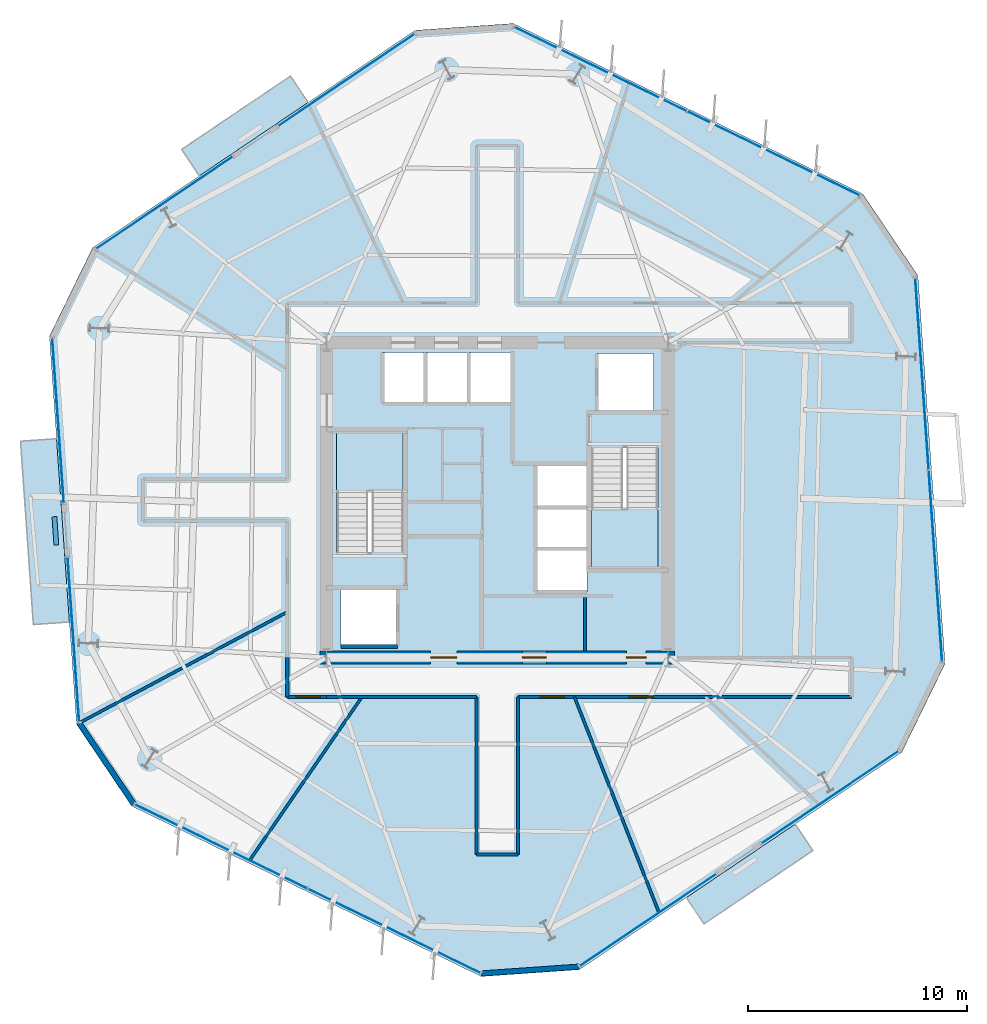
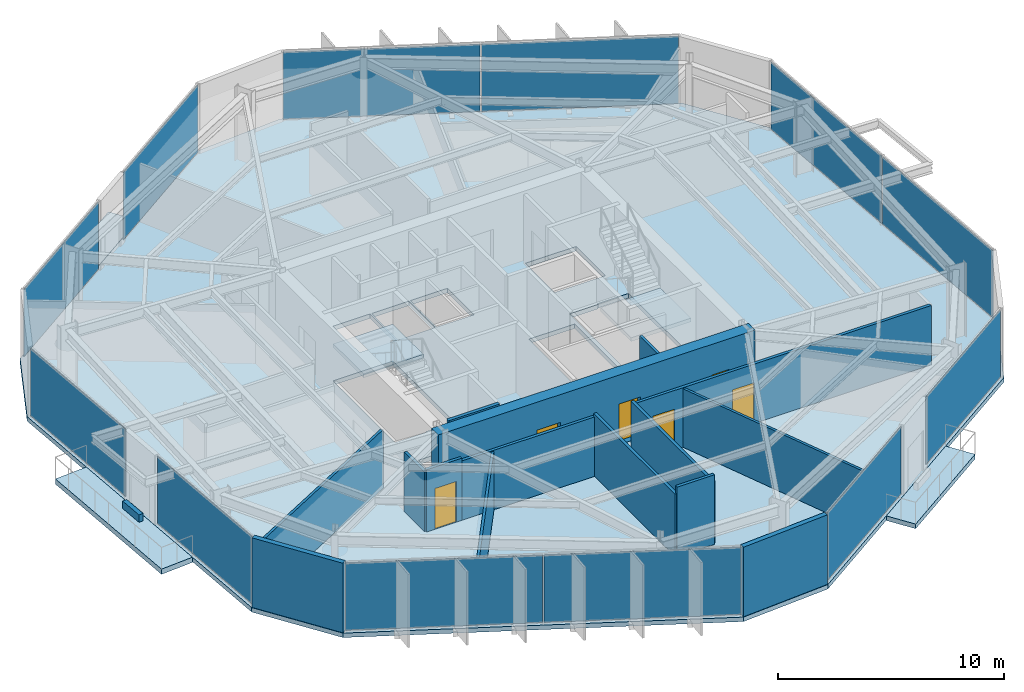
# One storey, part 6 of 14: 16 walls, 12 plates, 6 doors, 6 slabs, 6 openings, 11 elements without a shape of their own.
"""IFC4 building model written with IfcOpenShell, lengths in metres."""

from ifc_helpers import new_model, si_unit, direction, frame, frame_2d, origin, origin_2d, place, context, subcontext, project, spatial, polyline, rectangle, outline, extrude, material, layer, layer_set, type_object, element, fill, aggregate, save


model = new_model("IFC4")

# Units and contexts
model_context = context("Model", 3, precision=1e-05, world=origin(), true_north=direction((0.0, 1.0)))
body_context = subcontext(model_context, "Body", "Model", "MODEL_VIEW")
ifc_project = project(units=[si_unit("LENGTHUNIT", "METRE"), si_unit("AREAUNIT", "SQUARE_METRE"), si_unit("VOLUMEUNIT", "CUBIC_METRE"), si_unit("PLANEANGLEUNIT", "RADIAN"), si_unit("MASSUNIT", "GRAM", prefix="KILO")], contexts=[model_context])

# Site, building, storey
site_placement = place(None, origin())
site = spatial("IfcSite", under=ifc_project, at=site_placement, CompositionType="ELEMENT")
building_placement = place(site_placement, origin())
building = spatial("IfcBuilding", under=site, at=building_placement, Name="Kranzbogen Civic Tower", CompositionType="ELEMENT")
storey_placement = place(building_placement, frame((0.0, 0.0, 158.39990234375)))
storey = spatial("IfcBuildingStorey", under=building, at=storey_placement, Name="L38", CompositionType="ELEMENT", Elevation=158.39990234375)

# Slab
ifc_material_1 = material(Name="Concrete C40/50", Category="concrete")
ifc_layer_1 = layer(ifc_material_1, 0.239990234375, Name="Concrete C40/50")
ifc_layer_set_1 = layer_set([ifc_layer_1], Name="Concrete C40/50")
slab_type_1 = type_object("IfcSlabType", Name="Composite Lower Tower Floor Slab 240 mm", PredefinedType="FLOOR", material=ifc_layer_set_1)
slab_1_placement = place(storey_placement, frame((0.0, 0.0, -0.239990234375)))
element("IfcSlab", 1, at=slab_1_placement, inside=storey, type_object=slab_type_1, Name="L38 tower floor slab", PredefinedType="FLOOR", context=body_context, shape_type="SweptSolid", body=[
    extrude(outline(polyline([(41.715087890625, 38.988037109375), (25.73193359375, 46.783935546875), (21.242919921875, 46.469970703125), (6.5009765625, 36.52587890625), (4.528076171875, 32.48095703125), (5.76904296875, 14.741943359375), (8.284912109375, 11.011962890625), (24.26806640625, 3.216064453125), (28.757080078125, 3.530029296875), (43.4990234375, 13.47412109375), (45.471923828125, 17.51904296875), (44.23095703125, 35.258056640625), (41.715087890625, 38.988037109375)]), holes=[polyline([(20.449951171875, 20.89990234375), (20.449951171875, 18.300048828125), (17.85009765625, 18.300048828125), (17.85009765625, 20.89990234375), (20.449951171875, 20.89990234375)]), polyline([(29.10009765625, 22.699951171875), (29.10009765625, 20.800048828125), (26.75, 20.800048828125), (26.75, 22.699951171875), (29.10009765625, 22.699951171875)]), polyline([(29.10009765625, 24.64990234375), (29.10009765625, 22.77490234375), (26.75, 22.77490234375), (26.75, 24.64990234375), (26.75, 24.675048828125), (26.75, 26.550048828125), (29.10009765625, 26.550048828125), (29.10009765625, 24.675048828125), (29.10009765625, 24.64990234375)]), polyline([(30.75, 27.340087890625), (30.75, 27.39990234375), (32.35009765625, 27.39990234375), (32.35009765625, 21.89990234375), (29.300048828125, 21.89990234375), (29.300048828125, 27.340087890625), (30.75, 27.340087890625)]), polyline([(19.25, 22.659912109375), (19.25, 22.60009765625), (17.64990234375, 22.60009765625), (17.64990234375, 28.10009765625), (20.699951171875, 28.10009765625), (20.699951171875, 22.659912109375), (19.25, 22.659912109375)]), polyline([(32.14990234375, 31.699951171875), (32.14990234375, 29.10009765625), (29.550048828125, 29.10009765625), (29.550048828125, 31.699951171875), (32.14990234375, 31.699951171875)]), polyline([(21.64990234375, 31.75), (21.64990234375, 29.39990234375), (19.75, 29.39990234375), (19.75, 31.75), (21.64990234375, 31.75)]), polyline([(23.625, 29.39990234375), (21.72509765625, 29.39990234375), (21.72509765625, 31.75), (23.625, 31.75), (23.625, 29.39990234375)]), polyline([(25.60009765625, 29.39990234375), (23.699951171875, 29.39990234375), (23.699951171875, 31.75), (25.60009765625, 31.75), (25.60009765625, 29.39990234375)])]), origin(), (0.0, 0.0, 1.0), 0.239990234375),
])

# Curtain wall, plates
ifc_material_2 = material(Name="Pale Anodised Aluminium", Category="aluminium")
ifc_layer_2 = layer(ifc_material_2, 0.219970703125, Name="Pale Anodised Aluminium")
ifc_layer_set_2 = layer_set([ifc_layer_2], Name="Pale Anodised Aluminium")
curtain_wall_type = type_object("IfcCurtainWallType", Name="Zone 2 Stick Curtain Wall System CW-03", PredefinedType="USERDEFINED", material=ifc_layer_set_2)
curtain_wall_1_placement = place(storey_placement, origin())
curtain_wall_1 = element("IfcCurtainWall", 2, at=curtain_wall_1_placement, inside=storey, type_object=curtain_wall_type, Name="L38 curtain wall CW-L38-F1", ObjectType="STICK CURTAIN WALL", PredefinedType="USERDEFINED")
ifc_material_3 = material(Name="Low-E Triple Glazing Glass", Category="glass")
ifc_layer_3 = layer(ifc_material_3, 0.031982421875, Name="Low-E Triple Glazing Glass")
ifc_layer_set_3 = layer_set([ifc_layer_3], Name="Low-E Triple Glazing Glass")
plate_type = type_object("IfcPlateType", Name="Insulated Low-E Glazing Panel 32 mm", PredefinedType="CURTAIN_PANEL", material=ifc_layer_set_3)
plate_1_placement = place(storey_placement, frame((37.624267578125, 40.841064453125, 0.06005859375), z_axis=(0.0, 0.0, 1.0), x_axis=(-0.8987869382, 0.438385720252, 0.0)))
plate_1 = element("IfcPlate", 3, at=plate_1_placement, type_object=plate_type, Name="CW-03 panel 1.1", PredefinedType="CURTAIN_PANEL", context=body_context, shape_type="SweptSolid", body=[
    extrude(rectangle(XDim=8.74462890625, YDim=0.028076171875, at=origin_2d()), origin(), (0.0, 0.0, 1.0), 3.639892578125),
])
plate_2_placement = place(storey_placement, frame((29.710693359375, 44.700927734375, 0.06005859375), z_axis=(0.0, 0.0, 1.0), x_axis=(-0.8987869382, 0.438385720252, 0.0)))
plate_2 = element("IfcPlate", 4, at=plate_2_placement, type_object=plate_type, Name="CW-03 panel 2.1", PredefinedType="CURTAIN_PANEL", context=body_context, shape_type="SweptSolid", body=[
    extrude(rectangle(XDim=8.74462890625, YDim=0.028076171875, at=origin_2d()), origin(), (0.0, 0.0, 1.0), 3.639892578125),
])
aggregate(curtain_wall_1, [plate_1, plate_2])

# Curtain wall, plate
curtain_wall_2_placement = place(storey_placement, origin())
curtain_wall_2 = element("IfcCurtainWall", 5, at=curtain_wall_2_placement, inside=storey, type_object=curtain_wall_type, Name="L38 curtain wall CW-L38-F2-S1", ObjectType="STICK CURTAIN WALL", PredefinedType="USERDEFINED")
plate_3_placement = place(storey_placement, frame((18.1025390625, 44.197509765625, 0.06005859375), z_axis=(0.0, 0.0, 1.0), x_axis=(-0.829035410899, -0.559196108244, 0.0)))
plate_3 = element("IfcPlate", 6, at=plate_3_placement, type_object=plate_type, Name="CW-03 panel 1.1", PredefinedType="CURTAIN_PANEL", context=body_context, shape_type="SweptSolid", body=[
    extrude(rectangle(XDim=7.51416015625, YDim=0.028076171875, at=origin_2d()), origin(), (0.0, 0.0, 1.0), 3.639892578125),
])
aggregate(curtain_wall_2, [plate_3])

curtain_wall_3_placement = place(storey_placement, origin())
curtain_wall_3 = element("IfcCurtainWall", 7, at=curtain_wall_3_placement, inside=storey, type_object=curtain_wall_type, Name="L38 curtain wall CW-L38-F2-S2", ObjectType="STICK CURTAIN WALL", PredefinedType="USERDEFINED")
plate_4_placement = place(storey_placement, frame((9.784423828125, 38.58642578125, 0.06005859375), z_axis=(0.0, 0.0, 1.0), x_axis=(-0.829035410899, -0.559196108244, 0.0)))
plate_4 = element("IfcPlate", 8, at=plate_4_placement, type_object=plate_type, Name="CW-03 panel 1.1", PredefinedType="CURTAIN_PANEL", context=body_context, shape_type="SweptSolid", body=[
    extrude(rectangle(XDim=7.51416015625, YDim=0.028076171875, at=origin_2d()), origin(), (0.0, 0.0, 1.0), 3.639892578125),
])
aggregate(curtain_wall_3, [plate_4])

curtain_wall_4_placement = place(storey_placement, origin())
curtain_wall_4 = element("IfcCurtainWall", 9, at=curtain_wall_4_placement, inside=storey, type_object=curtain_wall_type, Name="L38 curtain wall CW-L38-F3-S1", ObjectType="STICK CURTAIN WALL", PredefinedType="USERDEFINED")
plate_5_placement = place(storey_placement, frame((4.925537109375, 28.62548828125, 0.06005859375), z_axis=(0.0, 0.0, 1.0), x_axis=(0.069822609681, -0.997559423382, 0.0)))
plate_5 = element("IfcPlate", 10, at=plate_5_placement, type_object=plate_type, Name="CW-03 panel 1.1", PredefinedType="CURTAIN_PANEL", context=body_context, shape_type="SweptSolid", body=[
    extrude(rectangle(XDim=7.513671875, YDim=0.028076171875, at=origin_2d()), origin(), (0.0, 0.0, 1.0), 3.639892578125),
])
aggregate(curtain_wall_4, [plate_5])

curtain_wall_5_placement = place(storey_placement, origin())
curtain_wall_5 = element("IfcCurtainWall", 11, at=curtain_wall_5_placement, inside=storey, type_object=curtain_wall_type, Name="L38 curtain wall CW-L38-F3-S2", ObjectType="STICK CURTAIN WALL", PredefinedType="USERDEFINED")
plate_6_placement = place(storey_placement, frame((5.62646484375, 18.615966796875, 0.06005859375), z_axis=(0.0, 0.0, 1.0), x_axis=(0.069813486474, -0.997560061904, 0.0)))
plate_6 = element("IfcPlate", 12, at=plate_6_placement, type_object=plate_type, Name="CW-03 panel 1.1", PredefinedType="CURTAIN_PANEL", context=body_context, shape_type="SweptSolid", body=[
    extrude(rectangle(XDim=7.5146484375, YDim=0.028076171875, at=origin_2d()), origin(), (0.0, 0.0, 1.0), 3.639892578125),
])
aggregate(curtain_wall_5, [plate_6])

# Curtain wall, plates
curtain_wall_6_placement = place(storey_placement, origin())
curtain_wall_6 = element("IfcCurtainWall", 13, at=curtain_wall_6_placement, inside=storey, type_object=curtain_wall_type, Name="L38 curtain wall CW-L38-F4", ObjectType="STICK CURTAIN WALL", PredefinedType="USERDEFINED")
plate_7_placement = place(storey_placement, frame((12.375732421875, 9.158935546875, 0.06005859375), z_axis=(0.0, 0.0, 1.0), x_axis=(0.8987869382, -0.438385720252, 0.0)))
plate_7 = element("IfcPlate", 14, at=plate_7_placement, type_object=plate_type, Name="CW-03 panel 1.1", PredefinedType="CURTAIN_PANEL", context=body_context, shape_type="SweptSolid", body=[
    extrude(rectangle(XDim=8.74462890625, YDim=0.028076171875, at=origin_2d()), origin(), (0.0, 0.0, 1.0), 3.639892578125),
])
plate_8_placement = place(storey_placement, frame((20.289306640625, 5.299072265625, 0.06005859375), z_axis=(0.0, 0.0, 1.0), x_axis=(0.8987869382, -0.438385720252, 0.0)))
plate_8 = element("IfcPlate", 15, at=plate_8_placement, type_object=plate_type, Name="CW-03 panel 2.1", PredefinedType="CURTAIN_PANEL", context=body_context, shape_type="SweptSolid", body=[
    extrude(rectangle(XDim=8.74462890625, YDim=0.028076171875, at=origin_2d()), origin(), (0.0, 0.0, 1.0), 3.639892578125),
])
aggregate(curtain_wall_6, [plate_7, plate_8])

# Curtain wall, plate
curtain_wall_7_placement = place(storey_placement, origin())
curtain_wall_7 = element("IfcCurtainWall", 16, at=curtain_wall_7_placement, inside=storey, type_object=curtain_wall_type, Name="L38 curtain wall CW-L38-F5-S1", ObjectType="STICK CURTAIN WALL", PredefinedType="USERDEFINED")
plate_9_placement = place(storey_placement, frame((31.8974609375, 5.802490234375, 0.06005859375), z_axis=(0.0, 0.0, 1.0), x_axis=(0.829035410899, 0.559196108244, 0.0)))
plate_9 = element("IfcPlate", 17, at=plate_9_placement, type_object=plate_type, Name="CW-03 panel 1.1", PredefinedType="CURTAIN_PANEL", context=body_context, shape_type="SweptSolid", body=[
    extrude(rectangle(XDim=7.51416015625, YDim=0.028076171875, at=origin_2d()), origin(), (0.0, 0.0, 1.0), 3.639892578125),
])
aggregate(curtain_wall_7, [plate_9])

curtain_wall_8_placement = place(storey_placement, origin())
curtain_wall_8 = element("IfcCurtainWall", 18, at=curtain_wall_8_placement, inside=storey, type_object=curtain_wall_type, Name="L38 curtain wall CW-L38-F5-S2", ObjectType="STICK CURTAIN WALL", PredefinedType="USERDEFINED")
plate_10_placement = place(storey_placement, frame((40.215576171875, 11.41357421875, 0.06005859375), z_axis=(0.0, 0.0, 1.0), x_axis=(0.829035410899, 0.559196108244, 0.0)))
plate_10 = element("IfcPlate", 19, at=plate_10_placement, type_object=plate_type, Name="CW-03 panel 1.1", PredefinedType="CURTAIN_PANEL", context=body_context, shape_type="SweptSolid", body=[
    extrude(rectangle(XDim=7.51416015625, YDim=0.028076171875, at=origin_2d()), origin(), (0.0, 0.0, 1.0), 3.639892578125),
])
aggregate(curtain_wall_8, [plate_10])

# Curtain wall, plates
curtain_wall_9_placement = place(storey_placement, origin())
curtain_wall_9 = element("IfcCurtainWall", 20, at=curtain_wall_9_placement, inside=storey, type_object=curtain_wall_type, Name="L38 curtain wall CW-L38-F6", ObjectType="STICK CURTAIN WALL", PredefinedType="USERDEFINED")
plate_11_placement = place(storey_placement, frame((45.031494140625, 21.98828125, 0.06005859375), z_axis=(0.0, 0.0, 1.0), x_axis=(-0.069843208453, 0.997557981389, 0.0)))
plate_11 = element("IfcPlate", 21, at=plate_11_placement, type_object=plate_type, Name="CW-03 panel 1.1", PredefinedType="CURTAIN_PANEL", context=body_context, shape_type="SweptSolid", body=[
    extrude(rectangle(XDim=8.744140625, YDim=0.028076171875, at=origin_2d()), origin(), (0.0, 0.0, 1.0), 3.639892578125),
])
plate_12_placement = place(storey_placement, frame((44.41650390625, 30.770751953125, 0.06005859375), z_axis=(0.0, 0.0, 1.0), x_axis=(-0.069843208453, 0.997557981389, 0.0)))
plate_12 = element("IfcPlate", 22, at=plate_12_placement, type_object=plate_type, Name="CW-03 panel 2.1", PredefinedType="CURTAIN_PANEL", context=body_context, shape_type="SweptSolid", body=[
    extrude(rectangle(XDim=8.744140625, YDim=0.028076171875, at=origin_2d()), origin(), (0.0, 0.0, 1.0), 3.639892578125),
])
aggregate(curtain_wall_9, [plate_11, plate_12])

# Stair, slab
ifc_material_4 = material(Name="Precast concrete C40/50", Category="concrete")
stair_type_1 = type_object("IfcStairType", Name="Tower Core Pressurized Dogleg Stair 1450", PredefinedType="HALF_TURN_STAIR", material=ifc_material_4)
stair_1_placement = place(storey_placement, origin())
stair_1 = element("IfcStair", 23, at=stair_1_placement, inside=storey, type_object=stair_type_1, Name="L38 Tower Core Pressurized Stair 1", PredefinedType="HALF_TURN_STAIR")
ifc_layer_4 = layer(ifc_material_4, 0.199951171875, Name="Precast concrete C40/50")
ifc_layer_set_4 = layer_set([ifc_layer_4], Name="Precast concrete C40/50")
slab_type_2 = type_object("IfcSlabType", Name="Precast Concrete Stair Landing Slab 200 mm", PredefinedType="LANDING", material=ifc_layer_set_4)
slab_2_placement = place(storey_placement, frame((0.0, 0.0, 1.800048828125)))
slab_2 = element("IfcSlab", 24, at=slab_2_placement, type_object=slab_type_2, Name="ST-T1 landing 1", PredefinedType="LANDING", context=body_context, shape_type="SweptSolid", body=[
    extrude(outline(polyline([(20.699951171875, 25.39990234375), (20.699951171875, 28.10009765625), (17.64990234375, 28.10009765625), (17.64990234375, 25.39990234375), (20.699951171875, 25.39990234375)])), origin(), (0.0, 0.0, 1.0), 0.199951171875),
])
aggregate(stair_1, [slab_2])

stair_type_2 = type_object("IfcStairType", Name="Tower Core Secondary Dogleg Stair 1450", PredefinedType="HALF_TURN_STAIR", material=ifc_material_4)
stair_2_placement = place(storey_placement, origin())
stair_2 = element("IfcStair", 25, at=stair_2_placement, inside=storey, type_object=stair_type_2, Name="L38 Tower Core Pressurized Stair 2", PredefinedType="HALF_TURN_STAIR")
slab_3_placement = place(storey_placement, frame((0.0, 0.0, 1.800048828125)))
slab_3 = element("IfcSlab", 26, at=slab_3_placement, type_object=slab_type_2, Name="ST-T2 landing 1", PredefinedType="LANDING", context=body_context, shape_type="SweptSolid", body=[
    extrude(outline(polyline([(29.300048828125, 24.60009765625), (29.300048828125, 21.89990234375), (32.35009765625, 21.89990234375), (32.35009765625, 24.60009765625), (29.300048828125, 24.60009765625)])), origin(), (0.0, 0.0, 1.0), 0.199951171875),
])
aggregate(stair_2, [slab_3])

# Slabs
ifc_layer_5 = layer(ifc_material_1, 0.280029296875, Name="Concrete C40/50")
ifc_layer_set_5 = layer_set([ifc_layer_5], Name="Concrete C40/50")
slab_type_3 = type_object("IfcSlabType", Name="Spiral Terrace Cantilevered Slab 280 mm", PredefinedType="FLOOR", material=ifc_layer_set_5)
slab_4_placement = place(storey_placement, frame((0.0, 0.0, -0.27978515625)))
element("IfcSlab", 27, at=slab_4_placement, inside=storey, type_object=slab_type_3, Name="L38 cantilevered spiral terrace L38-ST", PredefinedType="FLOOR", context=body_context, shape_type="SweptSolid", body=[
    extrude(outline(polyline([(4.85498046875, 27.802001953125), (5.44091796875, 19.422119140625), (3.794921875, 19.306884765625), (3.208984375, 27.68701171875), (4.85498046875, 27.802001953125)])), origin(), (0.0, 0.0, 1.0), 0.27978515625),
])
ifc_layer_6 = layer(ifc_material_1, 0.25, Name="Concrete C40/50")
ifc_layer_set_6 = layer_set([ifc_layer_6], Name="Concrete C40/50")
slab_type_4 = type_object("IfcSlabType", Name="Tree Balcony Cantilevered Slab 250 mm", PredefinedType="FLOOR", material=ifc_layer_set_6)
slab_5_placement = place(storey_placement, frame((0.0, 0.0, -0.25)))
element("IfcSlab", 28, at=slab_5_placement, inside=storey, type_object=slab_type_4, Name="L38 cantilevered tree balcony L38-TB1", PredefinedType="FLOOR", context=body_context, shape_type="SweptSolid", body=[
    extrude(outline(polyline([(33.64111328125, 6.824951171875), (38.614990234375, 10.179931640625), (39.426025390625, 8.97802734375), (34.451904296875, 5.623046875), (33.64111328125, 6.824951171875)])), origin(), (0.0, 0.0, 1.0), 0.25),
])
slab_6_placement = place(storey_placement, frame((0.0, 0.0, -0.25)))
element("IfcSlab", 29, at=slab_6_placement, inside=storey, type_object=slab_type_4, Name="L38 cantilevered tree balcony L38-TB2", PredefinedType="FLOOR", context=body_context, shape_type="SweptSolid", body=[
    extrude(outline(polyline([(16.35888671875, 43.175048828125), (11.385009765625, 39.820068359375), (10.573974609375, 41.02197265625), (15.548095703125, 44.376953125), (16.35888671875, 43.175048828125)])), origin(), (0.0, 0.0, 1.0), 0.25),
])

# Wall, opening, door
ifc_material_5 = material(Name="Double-Stud Acoustic Gypsum Partition")
ifc_layer_7 = layer(ifc_material_5, 0.14990234375, Name="Double-Stud Acoustic Gypsum Partition")
ifc_layer_set_7 = layer_set([ifc_layer_7], Name="Double-Stud Acoustic Gypsum Partition")
wall_type_1 = type_object("IfcWallType", Name="Acoustic Corridor and Clinical Partition 150 mm", PredefinedType="PARTITIONING", material=ifc_layer_set_7)
wall_1_placement = place(storey_placement, frame((17.199951171875, 16.0, 0.0), z_axis=(0.0, 0.0, 1.0), x_axis=(-1.0, 0.0, 0.0)))
wall_1 = element("IfcWall", 30, at=wall_1_placement, inside=storey, type_object=wall_type_1, Name="L38 corridor partition 01", PredefinedType="PARTITIONING", context=body_context, shape_type="SweptSolid", body=[
    extrude(rectangle(XDim=1.800048828125, YDim=0.14990234375, at=frame_2d((0.89990234375, 0.0))), origin(), (0.0, 0.0, 1.0), 3.360107421875),
])
opening_1_placement = place(wall_1_placement, frame((0.287109375, 0.0, 0.0)))
opening_1 = element("IfcOpeningElement", 31, at=opening_1_placement, cuts=wall_1, Name="Opening D-COR60", PredefinedType="OPENING", context=body_context, shape_type="SweptSolid", body=[
    extrude(rectangle(XDim=1.10009765625, YDim=2.199951171875, at=frame_2d((0.550048828125, 1.10009765625))), frame((0.0, 0.0849609375, 0.0), z_axis=(0.0, -1.0, 0.0), x_axis=(1.0, 0.0, 0.0)), (0.0, 0.0, 1.0), 0.169921875),
])
ifc_material_6 = material(Name="Oak Timber and Fire Core", Category="wood")
door_type_1 = type_object("IfcDoorType", Name="Corridor Acoustic Fire Door 1100x2200", OperationType="NOTDEFINED", PredefinedType="DOOR", material=ifc_material_6)
door_1_placement = place(opening_1_placement, origin())
door_1 = element("IfcDoor", 32, at=door_1_placement, inside=storey, type_object=door_type_1, Name="L38 Executive Briefing Conference Room door", OperationType="SINGLE_SWING_LEFT", OverallHeight=2.199951171875, OverallWidth=1.10009765625, PredefinedType="DOOR", context=body_context, shape_type="SweptSolid", body=[
    extrude(rectangle(XDim=1.10009765625, YDim=2.199951171875, at=frame_2d((0.550048828125, 1.10009765625))), frame((0.0, 0.02490234375, 0.0), z_axis=(0.0, -1.0, 0.0), x_axis=(1.0, 0.0, 0.0)), (0.0, 0.0, 1.0), 0.050048828125),
])
fill(opening_1, door_1)

# Wall
wall_2_placement = place(storey_placement, frame((15.39990234375, 16.0, 0.0), z_axis=(0.0, 0.0, 1.0), x_axis=(0.0, 1.0, 0.0)))
element("IfcWall", 33, at=wall_2_placement, inside=storey, type_object=wall_type_1, Name="L38 corridor partition 02", PredefinedType="PARTITIONING", context=body_context, shape_type="SweptSolid", body=[
    extrude(rectangle(XDim=1.800048828125, YDim=0.14990234375, at=frame_2d((0.89990234375, 0.0))), origin(), (0.0, 0.0, 1.0), 3.210205078125),
])

# Wall, openings, doors
wall_3_placement = place(storey_placement, frame((41.199951171875, 16.0, 0.0), z_axis=(0.0, 0.0, 1.0), x_axis=(-1.0, 0.0, 0.0)))
wall_3 = element("IfcWall", 34, at=wall_3_placement, inside=storey, type_object=wall_type_1, Name="L38 corridor partition 19", PredefinedType="PARTITIONING", context=body_context, shape_type="SweptSolid", body=[
    extrude(rectangle(XDim=15.25, YDim=0.14990234375, at=frame_2d((7.625, 0.0))), origin(), (0.0, 0.0, 1.0), 3.210205078125),
])
opening_2_placement = place(wall_3_placement, frame((13.12890625, 0.0, 0.0)))
opening_2 = element("IfcOpeningElement", 35, at=opening_2_placement, cuts=wall_3, Name="Opening D-COR60", PredefinedType="OPENING", context=body_context, shape_type="SweptSolid", body=[
    extrude(rectangle(XDim=1.10009765625, YDim=2.199951171875, at=frame_2d((0.550048828125, 1.10009765625))), frame((0.0, 0.0849609375, 0.0), z_axis=(0.0, -1.0, 0.0), x_axis=(1.0, 0.0, 0.0)), (0.0, 0.0, 1.0), 0.169921875),
])
opening_3_placement = place(wall_3_placement, frame((9.06005859375, 0.0, 0.0)))
opening_3 = element("IfcOpeningElement", 36, at=opening_3_placement, cuts=wall_3, Name="Opening D-COR60", PredefinedType="OPENING", context=body_context, shape_type="SweptSolid", body=[
    extrude(rectangle(XDim=1.10009765625, YDim=2.199951171875, at=frame_2d((0.550048828125, 1.10009765625))), frame((0.0, 0.0849609375, 0.0), z_axis=(0.0, -1.0, 0.0), x_axis=(1.0, 0.0, 0.0)), (0.0, 0.0, 1.0), 0.169921875),
])
door_2_placement = place(opening_2_placement, origin())
door_2 = element("IfcDoor", 37, at=door_2_placement, inside=storey, type_object=door_type_1, Name="L38 Parliamentary Review Boardroom door", OperationType="SINGLE_SWING_RIGHT", OverallHeight=2.199951171875, OverallWidth=1.10009765625, PredefinedType="DOOR", context=body_context, shape_type="SweptSolid", body=[
    extrude(rectangle(XDim=1.10009765625, YDim=2.199951171875, at=frame_2d((0.550048828125, 1.10009765625))), frame((0.0, 0.02490234375, 0.0), z_axis=(0.0, -1.0, 0.0), x_axis=(1.0, 0.0, 0.0)), (0.0, 0.0, 1.0), 0.050048828125),
])
fill(opening_2, door_2)
door_3_placement = place(opening_3_placement, origin())
door_3 = element("IfcDoor", 38, at=door_3_placement, inside=storey, type_object=door_type_1, Name="L38 Policy Seminar Room door", OperationType="SINGLE_SWING_LEFT", OverallHeight=2.199951171875, OverallWidth=1.10009765625, PredefinedType="DOOR", context=body_context, shape_type="SweptSolid", body=[
    extrude(rectangle(XDim=1.10009765625, YDim=2.199951171875, at=frame_2d((0.550048828125, 1.10009765625))), frame((0.0, 0.02490234375, 0.0), z_axis=(0.0, -1.0, 0.0), x_axis=(1.0, 0.0, 0.0)), (0.0, 0.0, 1.0), 0.050048828125),
])
fill(opening_3, door_3)

# Walls
wall_4_placement = place(storey_placement, frame((25.949951171875, 16.0, 0.0), z_axis=(0.0, 0.0, 1.0), x_axis=(0.0, -1.0, 0.0)))
element("IfcWall", 39, at=wall_4_placement, inside=storey, type_object=wall_type_1, Name="L38 corridor partition 20", PredefinedType="PARTITIONING", context=body_context, shape_type="SweptSolid", body=[
    extrude(rectangle(XDim=7.199951171875, YDim=0.14990234375, at=frame_2d((3.60009765625, 0.0))), origin(), (0.0, 0.0, 1.0), 3.360107421875),
])
wall_5_placement = place(storey_placement, frame((25.949951171875, 8.800048828125, 0.0), z_axis=(0.0, 0.0, 1.0), x_axis=(-1.0, 0.0, 0.0)))
element("IfcWall", 40, at=wall_5_placement, inside=storey, type_object=wall_type_1, Name="L38 corridor partition 21", PredefinedType="PARTITIONING", context=body_context, shape_type="SweptSolid", body=[
    extrude(rectangle(XDim=1.89990234375, YDim=0.14990234375, at=frame_2d((0.949951171875, 0.0))), origin(), (0.0, 0.0, 1.0), 3.760009765625),
])
wall_6_placement = place(storey_placement, frame((24.050048828125, 8.800048828125, 0.0), z_axis=(0.0, 0.0, 1.0), x_axis=(0.0, 1.0, 0.0)))
element("IfcWall", 41, at=wall_6_placement, inside=storey, type_object=wall_type_1, Name="L38 corridor partition 22", PredefinedType="PARTITIONING", context=body_context, shape_type="SweptSolid", body=[
    extrude(rectangle(XDim=7.199951171875, YDim=0.14990234375, at=frame_2d((3.60009765625, 0.0))), origin(), (0.0, 0.0, 1.0), 3.360107421875),
])
wall_7_placement = place(storey_placement, frame((24.050048828125, 16.0, 0.0), z_axis=(0.0, 0.0, 1.0), x_axis=(-1.0, 0.0, 0.0)))
element("IfcWall", 42, at=wall_7_placement, inside=storey, type_object=wall_type_1, Name="L38 corridor partition 23", PredefinedType="PARTITIONING", context=body_context, shape_type="SweptSolid", body=[
    extrude(rectangle(XDim=6.85009765625, YDim=0.14990234375, at=frame_2d((3.425048828125, 0.0))), origin(), (0.0, 0.0, 1.0), 3.210205078125),
])
ifc_material_7 = material(Name="Insulated Metal-Stud Gypsum Partition")
ifc_layer_8 = layer(ifc_material_7, 0.125, Name="Insulated Metal-Stud Gypsum Partition")
ifc_layer_set_8 = layer_set([ifc_layer_8], Name="Insulated Metal-Stud Gypsum Partition")
wall_type_2 = type_object("IfcWallType", Name="Acoustic Inter-Room Partition 125 mm", PredefinedType="PARTITIONING", material=ifc_layer_set_8)
wall_8_placement = place(storey_placement, frame((29.010009765625, 18.10009765625, 0.0), z_axis=(0.0, 0.0, 1.0), x_axis=(0.0, 1.0, 0.0)))
element("IfcWall", 43, at=wall_8_placement, inside=storey, type_object=wall_type_2, Name="L38 core auxiliary partition 1", PredefinedType="PARTITIONING", context=body_context, shape_type="SweptSolid", body=[
    extrude(rectangle(XDim=2.449951171875, YDim=0.125, at=frame_2d((1.22509765625, 0.0))), origin(), (0.0, 0.0, 1.0), 3.06005859375),
])
wall_9_placement = place(storey_placement, frame((15.39990234375, 19.87890625, 0.0), z_axis=(0.0, 0.0, 1.0), x_axis=(-0.882346658186, -0.470600015712, 0.0)))
element("IfcWall", 44, at=wall_9_placement, inside=storey, type_object=wall_type_2, Name="L38 radial room partition 06", PredefinedType="PARTITIONING", context=body_context, shape_type="SweptSolid", body=[
    extrude(rectangle(XDim=10.756591796875, YDim=0.125, at=frame_2d((5.37841796875, 0.0))), origin(), (0.0, 0.0, 1.0), 3.16015625),
])
wall_10_placement = place(storey_placement, frame((18.81689453125, 16.0, 0.0), z_axis=(0.0, 0.0, 1.0), x_axis=(-0.566244987329, -0.824236989175, 0.0)))
element("IfcWall", 45, at=wall_10_placement, inside=storey, type_object=wall_type_2, Name="L38 radial room partition 07", PredefinedType="PARTITIONING", context=body_context, shape_type="SweptSolid", body=[
    extrude(rectangle(XDim=9.05419921875, YDim=0.125, at=frame_2d((4.527099609375, 0.0))), origin(), (0.0, 0.0, 1.0), 3.16015625),
])
wall_11_placement = place(storey_placement, frame((28.528076171875, 16.0, 0.0), z_axis=(0.0, 0.0, 1.0), x_axis=(0.364981599364, -0.931014732496, 0.0)))
element("IfcWall", 46, at=wall_11_placement, inside=storey, type_object=wall_type_2, Name="L38 radial room partition 08", PredefinedType="PARTITIONING", context=body_context, shape_type="SweptSolid", body=[
    extrude(rectangle(XDim=10.575439453125, YDim=0.125, at=frame_2d((5.28759765625, 0.0))), origin(), (0.0, 0.0, 1.0), 3.16015625),
])
ifc_material_8 = material(Name="Architectural Precast Terracotta Concrete C40/50", Category="masonry")
ifc_layer_9 = layer(ifc_material_8, 0.219970703125, Name="Architectural Precast Terracotta Concrete C40/50")
ifc_layer_set_9 = layer_set([ifc_layer_9], Name="Architectural Precast Terracotta Concrete C40/50")
wall_type_3 = type_object("IfcWallType", Name="Architectural Tree Planter Kerb Wall 220 mm", PredefinedType="USERDEFINED", material=ifc_layer_set_9)
wall_12_placement = place(storey_placement, frame((4.757080078125, 24.236083984375, 0.0), z_axis=(0.0, 0.0, 1.0), x_axis=(0.069150329694, -0.997606250934, 0.0)))
element("IfcWall", 47, at=wall_12_placement, inside=storey, type_object=wall_type_3, Name="L38 landscaped tree balcony planter L38-ST", ObjectType="PLANTER_WALL", PredefinedType="USERDEFINED", context=body_context, shape_type="SweptSolid", body=[
    extrude(rectangle(XDim=1.29931640625, YDim=0.219970703125, at=frame_2d((0.649658203125, 0.0))), origin(), (0.0, 0.0, 1.0), 0.400146484375),
])

# Wall, openings, doors
ifc_material_9 = material(Name="Concrete C55/67", Category="concrete")
ifc_layer_10 = layer(ifc_material_9, 0.60009765625, Name="Concrete C55/67")
ifc_layer_set_10 = layer_set([ifc_layer_10], Name="Concrete C55/67")
wall_type_4 = type_object("IfcWallType", Name="Central Core Shear Wall 600 mm", PredefinedType="SHEAR", material=ifc_layer_set_10)
wall_13_placement = place(storey_placement, frame((16.89990234375, 17.800048828125, 0.0), z_axis=(0.0, 0.0, 1.0), x_axis=(1.0, 0.0, 0.0)))
wall_13 = element("IfcWall", 48, at=wall_13_placement, inside=storey, type_object=wall_type_4, Name="L38 central core South shear wall", PredefinedType="SHEAR", context=body_context, shape_type="SweptSolid", body=[
    extrude(rectangle(XDim=16.2001953125, YDim=0.60009765625, at=frame_2d((8.10009765625, 0.0))), origin(), (0.0, 0.0, 1.0), 3.760009765625),
])
opening_4_placement = place(wall_13_placement, frame((5.050048828125, 0.0, 0.0)))
opening_4 = element("IfcOpeningElement", 49, at=opening_4_placement, cuts=wall_13, Name="Opening D-EX120", PredefinedType="OPENING", context=body_context, shape_type="SweptSolid", body=[
    extrude(rectangle(XDim=1.199951171875, YDim=2.25, at=frame_2d((0.60009765625, 1.125))), frame((0.0, 0.31005859375, 0.0), z_axis=(0.0, -1.0, 0.0), x_axis=(1.0, 0.0, 0.0)), (0.0, 0.0, 1.0), 0.6201171875),
])
opening_5_placement = place(wall_13_placement, frame((14.0, 0.0, 0.0)))
opening_5 = element("IfcOpeningElement", 50, at=opening_5_placement, cuts=wall_13, Name="Opening D-WC90", PredefinedType="OPENING", context=body_context, shape_type="SweptSolid", body=[
    extrude(rectangle(XDim=0.89990234375, YDim=2.10009765625, at=frame_2d((0.449951171875, 1.050048828125))), frame((0.0, 0.31005859375, 0.0), z_axis=(0.0, -1.0, 0.0), x_axis=(1.0, 0.0, 0.0)), (0.0, 0.0, 1.0), 0.6201171875),
])
opening_6_placement = place(wall_13_placement, frame((9.25, 0.0, 0.0)))
opening_6 = element("IfcOpeningElement", 51, at=opening_6_placement, cuts=wall_13, Name="Opening D-COR60", PredefinedType="OPENING", context=body_context, shape_type="SweptSolid", body=[
    extrude(rectangle(XDim=1.10009765625, YDim=2.199951171875, at=frame_2d((0.550048828125, 1.10009765625))), frame((0.0, 0.31005859375, 0.0), z_axis=(0.0, -1.0, 0.0), x_axis=(1.0, 0.0, 0.0)), (0.0, 0.0, 1.0), 0.6201171875),
])
door_4_placement = place(opening_6_placement, origin())
door_4 = element("IfcDoor", 52, at=door_4_placement, inside=storey, type_object=door_type_1, Name="L38 REC1 archive room door", OperationType="SINGLE_SWING_RIGHT", OverallHeight=2.199951171875, OverallWidth=1.10009765625, PredefinedType="DOOR", context=body_context, shape_type="SweptSolid", body=[
    extrude(rectangle(XDim=1.10009765625, YDim=2.199951171875, at=frame_2d((0.550048828125, 1.10009765625))), frame((0.0, 0.02490234375, 0.0), z_axis=(0.0, -1.0, 0.0), x_axis=(1.0, 0.0, 0.0)), (0.0, 0.0, 1.0), 0.050048828125),
])
fill(opening_6, door_4)
ifc_material_10 = material(Name="Steel S355", Category="steel")
door_type_2 = type_object("IfcDoorType", Name="Exit Passageway Fire Door 1200x2250", OperationType="NOTDEFINED", PredefinedType="DOOR", material=ifc_material_10)
door_5_placement = place(opening_4_placement, origin())
door_5 = element("IfcDoor", 53, at=door_5_placement, inside=storey, type_object=door_type_2, Name="L38 West firefighting lobby corridor door", OperationType="SINGLE_SWING_LEFT", OverallHeight=2.25, OverallWidth=1.199951171875, PredefinedType="DOOR", context=body_context, shape_type="SweptSolid", body=[
    extrude(rectangle(XDim=1.199951171875, YDim=2.25, at=frame_2d((0.60009765625, 1.125))), frame((0.0, 0.02490234375, 0.0), z_axis=(0.0, -1.0, 0.0), x_axis=(1.0, 0.0, 0.0)), (0.0, 0.0, 1.0), 0.050048828125),
])
fill(opening_4, door_5)
ifc_material_11 = material(Name="Moisture-Resistant Laminate")
door_type_3 = type_object("IfcDoorType", Name="Standard Restroom and Store Door 900x2100", OperationType="NOTDEFINED", PredefinedType="DOOR", material=ifc_material_11)
door_6_placement = place(opening_5_placement, origin())
door_6 = element("IfcDoor", 54, at=door_6_placement, inside=storey, type_object=door_type_3, Name="L38 East electrical riser access door", OperationType="SINGLE_SWING_LEFT", OverallHeight=2.10009765625, OverallWidth=0.89990234375, PredefinedType="DOOR", context=body_context, shape_type="SweptSolid", body=[
    extrude(rectangle(XDim=0.89990234375, YDim=2.10009765625, at=frame_2d((0.449951171875, 1.050048828125))), frame((0.0, 0.02490234375, 0.0), z_axis=(0.0, -1.0, 0.0), x_axis=(1.0, 0.0, 0.0)), (0.0, 0.0, 1.0), 0.050048828125),
])
fill(opening_5, door_6)

# Walls
ifc_material_12 = material(Name="Gypsum Fireboard Shaftliner")
ifc_layer_11 = layer(ifc_material_12, 0.175048828125, Name="Gypsum Fireboard Shaftliner")
ifc_layer_set_11 = layer_set([ifc_layer_11], Name="Gypsum Fireboard Shaftliner")
wall_type_5 = type_object("IfcWallType", Name="Fire-Rated Lift and Service Shaft Wall 175 mm", PredefinedType="PARTITIONING", material=ifc_layer_set_11)
wall_14_placement = place(storey_placement, frame((17.85009765625, 18.300048828125, 0.0), z_axis=(0.0, 0.0, 1.0), x_axis=(1.0, 0.0, 0.0)))
element("IfcWall", 55, at=wall_14_placement, inside=storey, type_object=wall_type_5, Name="L38 lift FF-01 side wall", PredefinedType="PARTITIONING", context=body_context, shape_type="SweptSolid", body=[
    extrude(rectangle(XDim=2.599853515625, YDim=0.175048828125, at=frame_2d((1.2998046875, 0.0))), origin(), (0.0, 0.0, 1.0), 3.760009765625),
])
ifc_layer_12 = layer(ifc_material_2, 0.239990234375, Name="Pale Anodised Aluminium")
ifc_layer_set_12 = layer_set([ifc_layer_12], Name="Pale Anodised Aluminium")
wall_type_6 = type_object("IfcWallType", Name="Insulated Aluminium Facade Portal Wall 240 mm", PredefinedType="STANDARD", material=ifc_layer_set_12)
wall_15_placement = place(storey_placement, frame((5.89306640625, 14.80810546875, 0.0), z_axis=(0.0, 0.0, 1.0), x_axis=(0.559078804203, -0.82911452206, 0.0)))
element("IfcWall", 56, at=wall_15_placement, inside=storey, type_object=wall_type_6, Name="L38 chamfered corner facade spandrel 3", PredefinedType="STANDARD", context=body_context, shape_type="SweptSolid", body=[
    extrude(rectangle(XDim=4.469970703125, YDim=0.239990234375, at=frame_2d((2.23486328125, 0.0))), origin(), (0.0, 0.0, 1.0), 3.760009765625),
])
wall_16_placement = place(storey_placement, frame((24.27294921875, 3.35595703125, 0.0), z_axis=(0.0, 0.0, 1.0), x_axis=(0.997561857217, 0.069787828636, 0.0)))
element("IfcWall", 57, at=wall_16_placement, inside=storey, type_object=wall_type_6, Name="L38 chamfered corner facade spandrel 4", PredefinedType="STANDARD", context=body_context, shape_type="SweptSolid", body=[
    extrude(rectangle(XDim=4.470947265625, YDim=0.239990234375, at=frame_2d((2.2353515625, 0.0))), origin(), (0.0, 0.0, 1.0), 3.760009765625),
])

save(model, "model.ifc")
